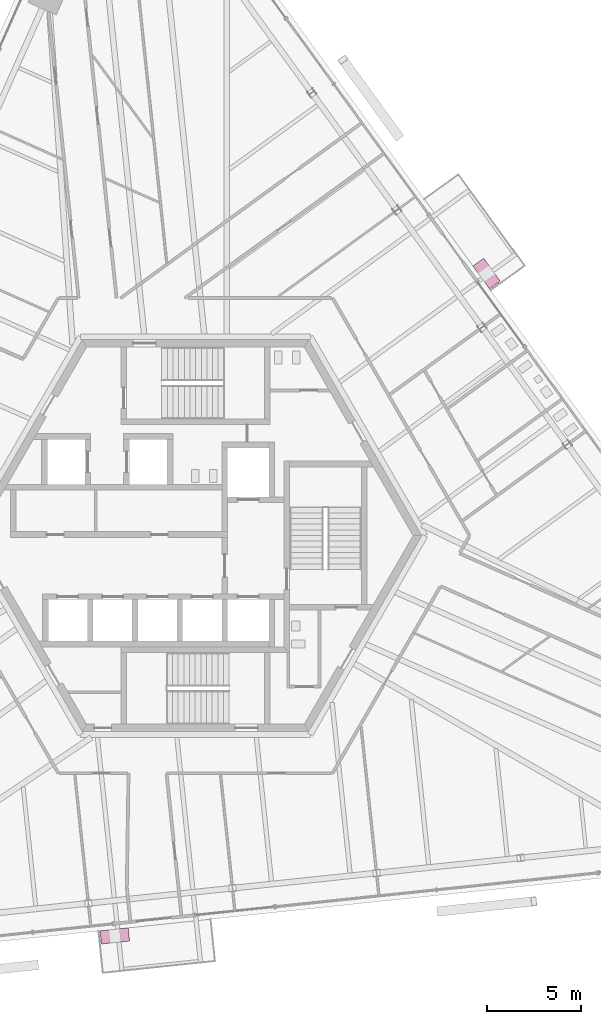
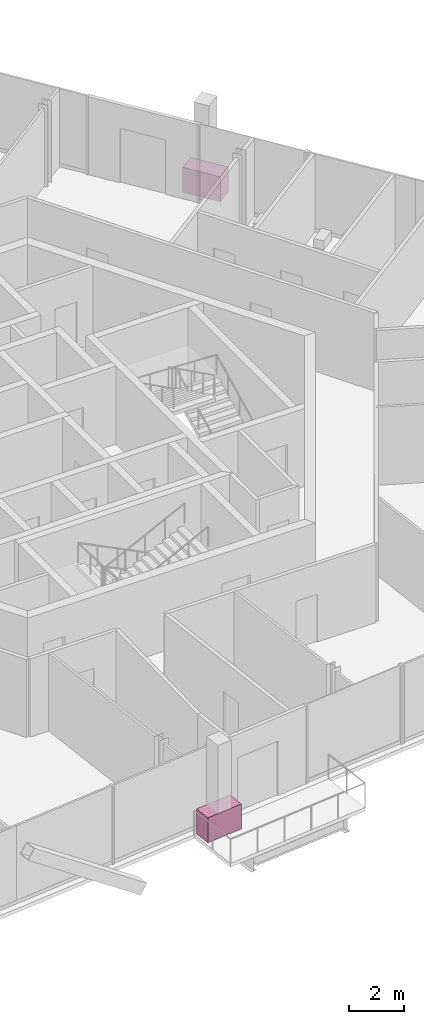
# One storey, part 18 of 19: 2 furniture elements.
"""IFC4 building model written with IfcOpenShell, lengths in metres."""

from ifc_helpers import new_model, si_unit, direction, frame, origin, origin_2d, place, context, subcontext, project, spatial, rectangle, extrude, source, transform, mapped, material, type_object, element, save


model = new_model("IFC4")

# Units and contexts
model_context = context("Model", 3, precision=1e-05, world=origin(), true_north=direction((0.0, 1.0)))
body_context = subcontext(model_context, "Body", "Model", "MODEL_VIEW")
ifc_project = project(units=[si_unit("LENGTHUNIT", "METRE"), si_unit("AREAUNIT", "SQUARE_METRE"), si_unit("VOLUMEUNIT", "CUBIC_METRE"), si_unit("PLANEANGLEUNIT", "RADIAN"), si_unit("MASSUNIT", "GRAM", prefix="KILO")], contexts=[model_context])

# Site, building, storey
site_placement = place(None, origin())
site = spatial("IfcSite", under=ifc_project, at=site_placement, CompositionType="ELEMENT")
building_placement = place(site_placement, origin())
building = spatial("IfcBuilding", under=site, at=building_placement, Name="Triune Harvest Tower", CompositionType="ELEMENT")
storey_placement = place(building_placement, frame((0.0, 0.0, 244.89990234375)))
storey = spatial("IfcBuildingStorey", under=building, at=storey_placement, Name="L64", CompositionType="ELEMENT", Elevation=244.89990234375)

# Furniture
ifc_material = material(Name="Concrete 40 MPa", Category="concrete")
furniture_type = type_object("IfcFurnitureType", Name="PB-1 structural planter", AssemblyPlace="SITE", PredefinedType="USERDEFINED", material=ifc_material)
shared_shape = source(origin(), body_context, "Body", "SweptSolid", [
    extrude(rectangle(XDim=1.5, YDim=0.699951171875, at=origin_2d()), origin(), (0.0, 0.0, 1.0), 1.10009765625),
])
for number, where, z_axis, x_axis, name in (
    (1, (15.435791015625, 13.892578125, 0.0), (0.0, 0.0, 1.0), (-0.587785672066, 0.809016689391, 0.0), "Planter B6-F1 L64.7a"),
    (2, (-4.272216796875, -21.21630859375, 0.0), (0.0, 0.0, 1.0), (0.994521747579, 0.104529869379, 0.0), "Planter B6-F5 L64.5a"),
):
    element("IfcFurniture", number, at=place(storey_placement, frame(where, z_axis=z_axis, x_axis=x_axis)), inside=storey, type_object=furniture_type, Name=name, ObjectType="PLANTER", PredefinedType="USERDEFINED", context=body_context, shape_type="MappedRepresentation", body=[
        mapped(shared_shape, transform((0.0, 0.0, 0.0), scale=1.0)),
    ])

save(model, "model.ifc")
